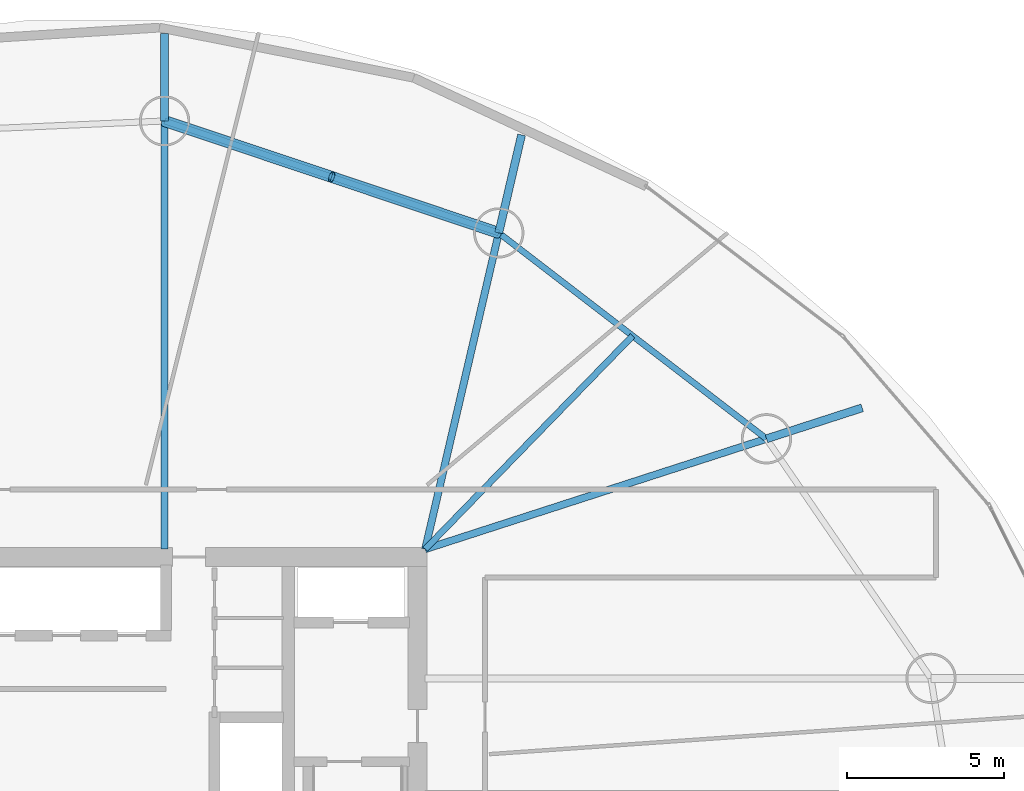
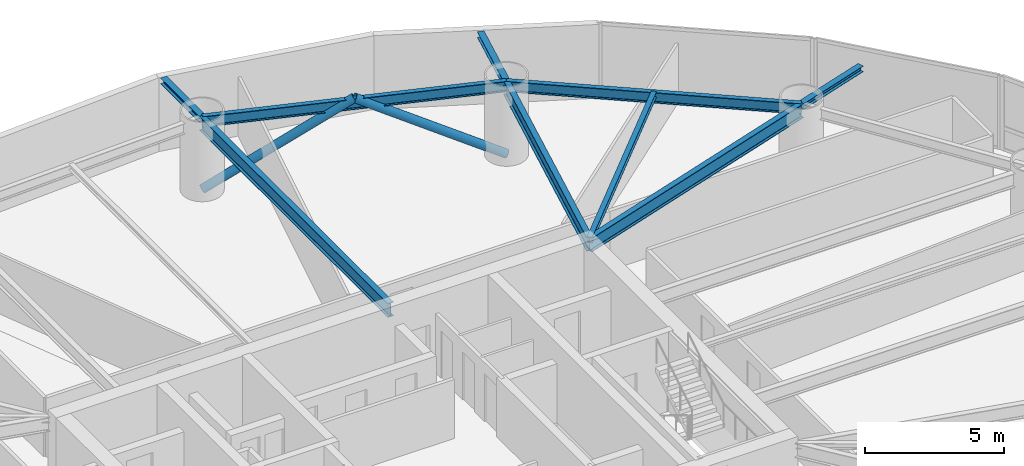
# One storey, part 16 of 26: 9 beams, 2 members.
"""IFC4 building model written with IfcOpenShell, lengths in metres."""

from ifc_helpers import new_model, si_unit, direction, frame, origin, origin_2d, place, context, subcontext, project, spatial, hollow_circle, i_section, extrude, material, material_profile, profile_set, type_object, element, save


model = new_model("IFC4")

# Units and contexts
model_context = context("Model", 3, precision=1e-05, world=origin(), true_north=direction((0.0, 1.0)))
body_context = subcontext(model_context, "Body", "Model", "MODEL_VIEW")
ifc_project = project(units=[si_unit("LENGTHUNIT", "METRE"), si_unit("AREAUNIT", "SQUARE_METRE"), si_unit("VOLUMEUNIT", "CUBIC_METRE"), si_unit("PLANEANGLEUNIT", "RADIAN"), si_unit("MASSUNIT", "GRAM", prefix="KILO")], contexts=[model_context])

# Site, building, storey
site_placement = place(None, origin())
site = spatial("IfcSite", under=ifc_project, at=site_placement, CompositionType="ELEMENT")
building_placement = place(site_placement, origin())
building = spatial("IfcBuilding", under=site, at=building_placement, Name="Bramvorn Convention Spire", CompositionType="ELEMENT")
storey_placement = place(building_placement, frame((0.0, 0.0, 51.89990234375)))
storey = spatial("IfcBuildingStorey", under=building, at=storey_placement, Name="L10", CompositionType="ELEMENT", Elevation=51.89990234375)

# Beams
ifc_material = material(Name="Steel CSA G40.21 Grade 350 (350W)", Category="steel")
ifc_material_profile_1 = material_profile(ifc_material, i_section(OverallWidth=0.201904296875, OverallDepth=0.2470703125, WebThickness=0.00732421875, FlangeThickness=0.010986328125, FilletRadius=0.011962890625, at=origin_2d()))
ifc_profile_set_1 = profile_set([ifc_material_profile_1], Name="Steel CSA G40.21 Grade 350 (350W) - W250X49")
beam_type_1 = type_object("IfcBeamType", Name="BM-W250X49", PredefinedType="JOIST", material=ifc_profile_set_1)
beam_1_placement = place(storey_placement, frame((49.25, 33.449951171875, 3.126708984375), z_axis=(0.697170484005, 0.716905374671, 0.0), x_axis=(-0.716905374671, 0.697170484005, 0.0)))
element("IfcBeam", 1, at=beam_1_placement, inside=storey, type_object=beam_type_1, Name="L10 composite floor joist 03", PredefinedType="JOIST", context=body_context, shape_type="SweptSolid", body=[
    extrude(i_section(OverallWidth=0.201904296875, OverallDepth=0.2470703125, WebThickness=0.00732421875, FlangeThickness=0.010986328125, FilletRadius=0.011962890625, at=origin_2d()), origin(), (0.0, 0.0, 1.0), 9.4638671875),
])
ifc_material_profile_2 = material_profile(ifc_material, i_section(OverallWidth=0.25390625, OverallDepth=0.2529296875, WebThickness=0.008544921875, FlangeThickness=0.01416015625, FilletRadius=0.011962890625, at=origin_2d()))
ifc_profile_set_2 = profile_set([ifc_material_profile_2], Name="Steel CSA G40.21 Grade 350 (350W) - W250X73")
beam_type_2 = type_object("IfcBeamType", Name="BM-W250X73", PredefinedType="BEAM", material=ifc_profile_set_2)
for number, where, z_axis, x_axis, name in (
    (2, (60.105224609375, 36.960205078125, 3.12353515625), (0.951483286173, 0.307700432454, 0.0), (-0.307700432454, 0.951483286173, 0.0), "L10 slab-edge cantilever tip beam MC03"),
    (3, (51.59033203125, 43.509033203125, 3.12353515625), (0.226597657663, 0.973988450415, 0.0), (-0.973988450415, 0.226597657663, 0.0), "L10 slab-edge cantilever tip beam MC04"),
):
    element("IfcBeam", number, at=place(storey_placement, frame(where, z_axis=z_axis, x_axis=x_axis)), inside=storey, type_object=beam_type_2, Name=name, PredefinedType="BEAM", context=body_context, shape_type="SweptSolid", body=[
        extrude(i_section(OverallWidth=0.25390625, OverallDepth=0.2529296875, WebThickness=0.008544921875, FlangeThickness=0.01416015625, FilletRadius=0.011962890625, at=origin_2d()), origin(), (0.0, 0.0, 1.0), 3.199951171875),
    ])
beam_2_placement = place(storey_placement, frame((40.9609375, 47.06884765625, 3.12353515625), z_axis=(0.0, 1.0, 0.0), x_axis=(-1.0, 0.0, 0.0)))
element("IfcBeam", 4, at=beam_2_placement, inside=storey, type_object=beam_type_2, Name="L10 slab-edge cantilever tip beam MC05", PredefinedType="BEAM", context=body_context, shape_type="SweptSolid", body=[
    extrude(i_section(OverallWidth=0.25390625, OverallDepth=0.2529296875, WebThickness=0.008544921875, FlangeThickness=0.01416015625, FilletRadius=0.011962890625, at=origin_2d()), origin(), (0.0, 0.0, 1.0), 2.779296875),
])
ifc_material_profile_3 = material_profile(ifc_material, i_section(OverallWidth=0.194091796875, OverallDepth=0.468994140625, WebThickness=0.0126953125, FlangeThickness=0.0205078125, FilletRadius=0.01806640625, at=origin_2d()))
ifc_profile_set_3 = profile_set([ifc_material_profile_3], Name="Steel CSA G40.21 Grade 350 (350W) - W460X106")
beam_type_3 = type_object("IfcBeamType", Name="BM-W460X106", PredefinedType="SPANDREL", material=ifc_profile_set_3)
beam_3_placement = place(storey_placement, frame((60.105224609375, 36.960205078125, 3.015625), z_axis=(-0.792672990445, 0.609647053809, 0.0), x_axis=(-0.609647053809, -0.792672990445, 0.0)))
element("IfcBeam", 5, at=beam_3_placement, inside=storey, type_object=beam_type_3, Name="L10 mega-column ring beam 03", PredefinedType="SPANDREL", context=body_context, shape_type="SweptSolid", body=[
    extrude(i_section(OverallWidth=0.194091796875, OverallDepth=0.468994140625, WebThickness=0.0126953125, FlangeThickness=0.0205078125, FilletRadius=0.01806640625, at=origin_2d()), origin(), (0.0, 0.0, 1.0), 10.741943359375),
])
beam_4_placement = place(storey_placement, frame((51.59033203125, 43.509033203125, 3.015625), z_axis=(-0.948235872727, 0.317566890078, 0.0), x_axis=(-0.317566890078, -0.948235872727, 0.0)))
element("IfcBeam", 6, at=beam_4_placement, inside=storey, type_object=beam_type_3, Name="L10 mega-column ring beam 04", PredefinedType="SPANDREL", context=body_context, shape_type="SweptSolid", body=[
    extrude(i_section(OverallWidth=0.194091796875, OverallDepth=0.468994140625, WebThickness=0.0126953125, FlangeThickness=0.0205078125, FilletRadius=0.01806640625, at=origin_2d()), origin(), (0.0, 0.0, 1.0), 11.209716796875),
])
ifc_material_profile_4 = material_profile(ifc_material, i_section(OverallWidth=0.22998046875, OverallDepth=0.616943359375, WebThickness=0.01318359375, FlangeThickness=0.022216796875, FilletRadius=0.02001953125, at=origin_2d()))
ifc_profile_set_4 = profile_set([ifc_material_profile_4], Name="Steel CSA G40.21 Grade 350 (350W) - W610X140")
beam_type_4 = type_object("IfcBeamType", Name="BM-W610X140", PredefinedType="BEAM", material=ifc_profile_set_4)
beam_5_placement = place(storey_placement, frame((49.25, 33.449951171875, 2.941650390625), z_axis=(0.951488933275, 0.307682969719, 0.0), x_axis=(-0.307682969719, 0.951488933275, 0.0)))
element("IfcBeam", 7, at=beam_5_placement, inside=storey, type_object=beam_type_4, Name="L10 radial floor girder MC03", PredefinedType="BEAM", context=body_context, shape_type="SweptSolid", body=[
    extrude(i_section(OverallWidth=0.22998046875, OverallDepth=0.616943359375, WebThickness=0.01318359375, FlangeThickness=0.022216796875, FilletRadius=0.02001953125, at=origin_2d()), origin(), (0.0, 0.0, 1.0), 11.40869140625),
])
beam_6_placement = place(storey_placement, frame((49.25, 33.449951171875, 2.941650390625), z_axis=(0.226606328522, 0.973986433106, 0.0), x_axis=(-0.973986433106, 0.226606328522, 0.0)))
element("IfcBeam", 8, at=beam_6_placement, inside=storey, type_object=beam_type_4, Name="L10 radial floor girder MC04", PredefinedType="BEAM", context=body_context, shape_type="SweptSolid", body=[
    extrude(i_section(OverallWidth=0.22998046875, OverallDepth=0.616943359375, WebThickness=0.01318359375, FlangeThickness=0.022216796875, FilletRadius=0.02001953125, at=origin_2d()), origin(), (0.0, 0.0, 1.0), 10.32763671875),
])
beam_7_placement = place(storey_placement, frame((40.9609375, 33.449951171875, 2.941650390625), z_axis=(0.0, 1.0, 0.0), x_axis=(-1.0, 0.0, 0.0)))
element("IfcBeam", 9, at=beam_7_placement, inside=storey, type_object=beam_type_4, Name="L10 radial floor girder MC05", PredefinedType="BEAM", context=body_context, shape_type="SweptSolid", body=[
    extrude(i_section(OverallWidth=0.22998046875, OverallDepth=0.616943359375, WebThickness=0.01318359375, FlangeThickness=0.022216796875, FilletRadius=0.02001953125, at=origin_2d()), origin(), (0.0, 0.0, 1.0), 13.618896484375),
])

# Members
ifc_material_profile_5 = material_profile(ifc_material, hollow_circle(Radius=0.177734375, WallThickness=0.015869140625, at=origin_2d()))
ifc_profile_set_5 = profile_set([ifc_material_profile_5], Name="Steel CSA G40.21 Grade 350 (350W) - CHS356X16")
member_type = type_object("IfcMemberType", Name="MBR-CHS356X16", PredefinedType="BRACE", material=ifc_profile_set_5)
for number, where, z_axis, x_axis, name in (
    (10, (51.59033203125, 43.509033203125, 0.0), (-0.820300118259, 0.274739683138, 0.501623187756), (-0.31758647294, -0.948229314146, 0.0), "L10 perimeter Gothic lancet brace 4A"),
    (11, (40.9609375, 47.06884765625, 0.0), (0.820308610169, -0.274704844877, 0.501628380659), (0.31754730681, 0.948242430994, 0.0), "L10 perimeter Gothic lancet brace 4B"),
):
    element("IfcMember", number, at=place(storey_placement, frame(where, z_axis=z_axis, x_axis=x_axis)), inside=storey, type_object=member_type, Name=name, PredefinedType="BRACE", context=body_context, shape_type="SweptSolid", body=[
        extrude(hollow_circle(Radius=0.177734375, WallThickness=0.015869140625, at=origin_2d()), origin(), (0.0, 0.0, 1.0), 6.47900390625),
    ])

save(model, "model.ifc")
